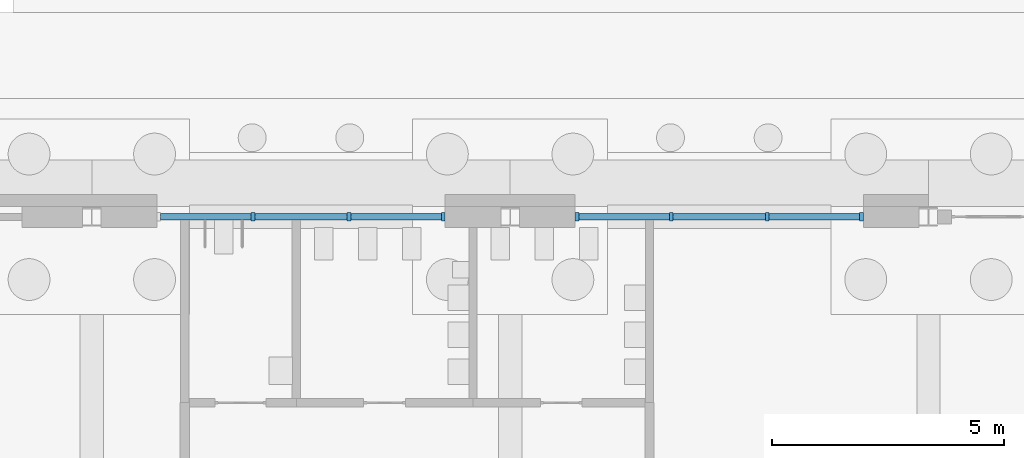
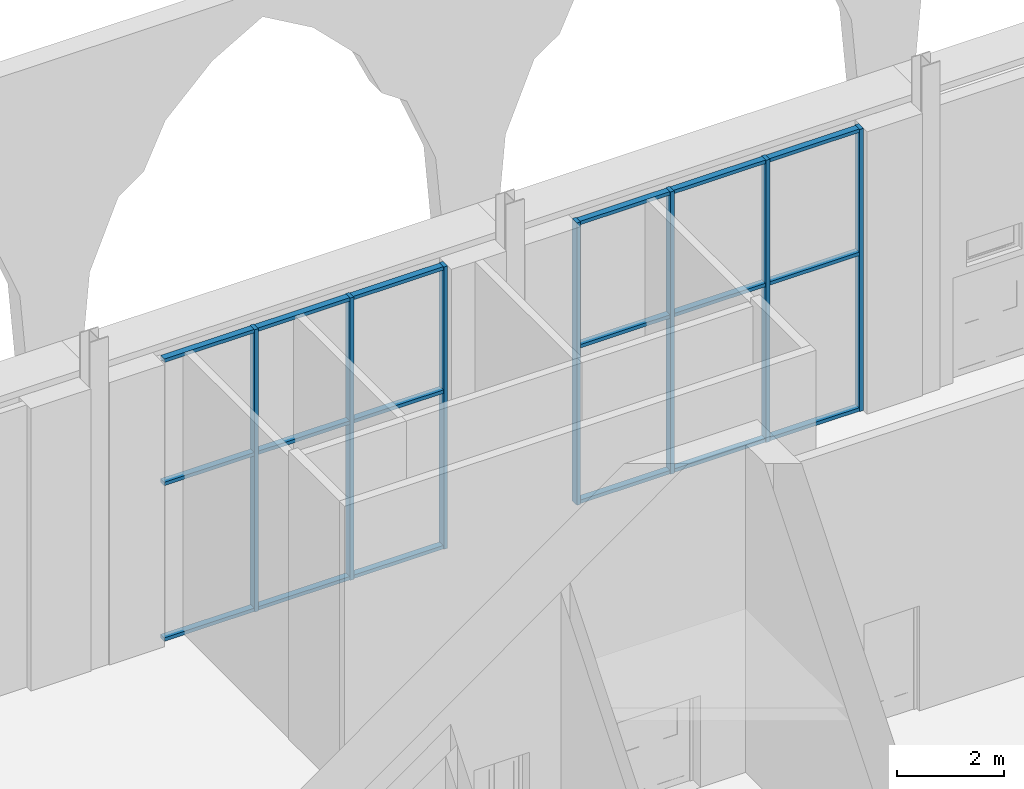
# One storey, part 64 of 250: 25 members, 2 elements without a shape of their own.
"""IFC4 building model written with IfcOpenShell, lengths in metres."""

from ifc_helpers import new_model, si_unit, direction, frame, origin, origin_2d, place, context, subcontext, project, spatial, rectangle, extrude, material, material_profile, profile_set, type_object, element, aggregate, save


model = new_model("IFC4")

# Units and contexts
model_context = context("Model", 3, precision=1e-05, world=origin(), true_north=direction((0.0, 1.0)))
body_context = subcontext(model_context, "Body", "Model", "MODEL_VIEW")
ifc_project = project(units=[si_unit("LENGTHUNIT", "METRE"), si_unit("AREAUNIT", "SQUARE_METRE"), si_unit("VOLUMEUNIT", "CUBIC_METRE"), si_unit("PLANEANGLEUNIT", "RADIAN"), si_unit("MASSUNIT", "GRAM", prefix="KILO")], contexts=[model_context])

# Site, building, storey
site_placement = place(None, origin())
site = spatial("IfcSite", under=ifc_project, at=site_placement, CompositionType="ELEMENT")
building_placement = place(site_placement, origin())
building = spatial("IfcBuilding", under=site, at=building_placement, Name="Baradari Gate Terminus", CompositionType="ELEMENT")
storey_placement = place(building_placement, origin())
storey = spatial("IfcBuildingStorey", under=building, at=storey_placement, Name="L00", CompositionType="ELEMENT", Elevation=0.0)

# Curtain wall, members
ifc_material_1 = material(Name="Aluminium 6063-T6", Category="aluminium")
curtain_wall_type = type_object("IfcCurtainWallType", Name="Curtain wall CW-7 lobby and lounge glazing", PredefinedType="NOTDEFINED", material=ifc_material_1)
curtain_wall_1_placement = place(storey_placement, origin())
curtain_wall_1 = element("IfcCurtainWall", 1, at=curtain_wall_1_placement, inside=storey, type_object=curtain_wall_type, Name="Glazed curtain wall CW-7 TN bay 5 L00", PredefinedType="NOTDEFINED")
ifc_material_2 = material(Name="Aluminium 6063-T6", Category="aluminium")
ifc_material_profile_1 = material_profile(ifc_material_2, rectangle(XDim=0.175048828125, YDim=0.080078125, at=origin_2d()), Name="CM-7 80X175")
ifc_profile_set_1 = profile_set([ifc_material_profile_1], Name="Aluminium 6063-T6")
member_type_1 = type_object("IfcMemberType", Name="Curtain wall mullion CM-7 80x175", PredefinedType="MULLION", material=ifc_profile_set_1)
member_1_placement = place(storey_placement, frame((39.466552734375, 144.0, 0.0), z_axis=(0.0, 0.0, 1.0), x_axis=(0.0, 1.0, 0.0)))
member_1 = element("IfcMember", 2, at=member_1_placement, type_object=member_type_1, Name="CW-7 mullion 2", PredefinedType="MULLION", context=body_context, shape_type="SweptSolid", body=[
    extrude(rectangle(XDim=0.175048828125, YDim=0.080078125, at=origin_2d()), origin(), (0.0, 0.0, 1.0), 6.459716796875),
])
member_2_placement = place(storey_placement, frame((41.533447265625, 144.0, 0.0), z_axis=(0.0, 0.0, 1.0), x_axis=(0.0, 1.0, 0.0)))
member_2 = element("IfcMember", 3, at=member_2_placement, type_object=member_type_1, Name="CW-7 mullion 3", PredefinedType="MULLION", context=body_context, shape_type="SweptSolid", body=[
    extrude(rectangle(XDim=0.175048828125, YDim=0.080078125, at=origin_2d()), origin(), (0.0, 0.0, 1.0), 6.459716796875),
])
member_3_placement = place(storey_placement, frame((43.560546875, 144.0, 0.0), z_axis=(0.0, 0.0, 1.0), x_axis=(0.0, 1.0, 0.0)))
member_3 = element("IfcMember", 4, at=member_3_placement, type_object=member_type_1, Name="CW-7 mullion 4", PredefinedType="MULLION", context=body_context, shape_type="SweptSolid", body=[
    extrude(rectangle(XDim=0.175048828125, YDim=0.080078125, at=origin_2d()), origin(), (0.0, 0.0, 1.0), 6.459716796875),
])

curtain_wall_2_placement = place(storey_placement, origin())
curtain_wall_2 = element("IfcCurtainWall", 5, at=curtain_wall_2_placement, inside=storey, type_object=curtain_wall_type, Name="Glazed curtain wall CW-7 TN bay 6 L00", PredefinedType="NOTDEFINED")
member_4_placement = place(storey_placement, frame((46.439453125, 144.0, 0.0), z_axis=(0.0, 0.0, 1.0), x_axis=(0.0, 1.0, 0.0)))
member_4 = element("IfcMember", 6, at=member_4_placement, type_object=member_type_1, Name="CW-7 mullion 1", PredefinedType="MULLION", context=body_context, shape_type="SweptSolid", body=[
    extrude(rectangle(XDim=0.175048828125, YDim=0.080078125, at=origin_2d()), origin(), (0.0, 0.0, 1.0), 6.459716796875),
])
member_5_placement = place(storey_placement, frame((48.466552734375, 144.0, 0.0), z_axis=(0.0, 0.0, 1.0), x_axis=(0.0, 1.0, 0.0)))
member_5 = element("IfcMember", 7, at=member_5_placement, type_object=member_type_1, Name="CW-7 mullion 2", PredefinedType="MULLION", context=body_context, shape_type="SweptSolid", body=[
    extrude(rectangle(XDim=0.175048828125, YDim=0.080078125, at=origin_2d()), origin(), (0.0, 0.0, 1.0), 6.459716796875),
])
member_6_placement = place(storey_placement, frame((50.533447265625, 144.0, 0.0), z_axis=(0.0, 0.0, 1.0), x_axis=(0.0, 1.0, 0.0)))
member_6 = element("IfcMember", 8, at=member_6_placement, type_object=member_type_1, Name="CW-7 mullion 3", PredefinedType="MULLION", context=body_context, shape_type="SweptSolid", body=[
    extrude(rectangle(XDim=0.175048828125, YDim=0.080078125, at=origin_2d()), origin(), (0.0, 0.0, 1.0), 6.459716796875),
])
member_7_placement = place(storey_placement, frame((52.560546875, 144.0, 0.0), z_axis=(0.0, 0.0, 1.0), x_axis=(0.0, 1.0, 0.0)))
member_7 = element("IfcMember", 9, at=member_7_placement, type_object=member_type_1, Name="CW-7 mullion 4", PredefinedType="MULLION", context=body_context, shape_type="SweptSolid", body=[
    extrude(rectangle(XDim=0.175048828125, YDim=0.080078125, at=origin_2d()), origin(), (0.0, 0.0, 1.0), 6.459716796875),
])

# Member
ifc_material_3 = material(Name="Aluminium 6063-T6", Category="aluminium")
ifc_material_profile_2 = material_profile(ifc_material_3, rectangle(XDim=0.139892578125, YDim=0.080078125, at=origin_2d()), Name="CT-7 80X140")
ifc_profile_set_2 = profile_set([ifc_material_profile_2], Name="Aluminium 6063-T6")
member_type_2 = type_object("IfcMemberType", Name="Curtain wall transom CT-7 80x140", PredefinedType="USERDEFINED", material=ifc_profile_set_2)
member_8_placement = place(storey_placement, frame((37.4794921875, 144.0, 0.0400390625), z_axis=(1.0, 0.0, 0.0), x_axis=(0.0, 1.0, 0.0)))
member_8 = element("IfcMember", 10, at=member_8_placement, type_object=member_type_2, Name="CW-7 transom 1.1", ObjectType="TRANSOM", PredefinedType="USERDEFINED", context=body_context, shape_type="SweptSolid", body=[
    extrude(rectangle(XDim=0.139892578125, YDim=0.080078125, at=origin_2d()), origin(), (0.0, 0.0, 1.0), 1.947021484375),
])

member_9_placement = place(storey_placement, frame((37.4794921875, 144.0, 3.60009765625), z_axis=(1.0, 0.0, 0.0), x_axis=(0.0, 1.0, 0.0)))
member_9 = element("IfcMember", 11, at=member_9_placement, type_object=member_type_2, Name="CW-7 transom 1.2", ObjectType="TRANSOM", PredefinedType="USERDEFINED", context=body_context, shape_type="SweptSolid", body=[
    extrude(rectangle(XDim=0.139892578125, YDim=0.080078125, at=origin_2d()), origin(), (0.0, 0.0, 1.0), 1.947021484375),
])

member_10_placement = place(storey_placement, frame((37.4794921875, 144.0, 6.419677734375), z_axis=(1.0, 0.0, 0.0), x_axis=(0.0, 1.0, 0.0)))
member_10 = element("IfcMember", 12, at=member_10_placement, type_object=member_type_2, Name="CW-7 transom 1.3", ObjectType="TRANSOM", PredefinedType="USERDEFINED", context=body_context, shape_type="SweptSolid", body=[
    extrude(rectangle(XDim=0.139892578125, YDim=0.080078125, at=origin_2d()), origin(), (0.0, 0.0, 1.0), 1.947021484375),
])

member_11_placement = place(storey_placement, frame((39.506591796875, 144.0, 0.0400390625), z_axis=(1.0, 0.0, 0.0), x_axis=(0.0, 1.0, 0.0)))
member_11 = element("IfcMember", 13, at=member_11_placement, type_object=member_type_2, Name="CW-7 transom 2.1", ObjectType="TRANSOM", PredefinedType="USERDEFINED", context=body_context, shape_type="SweptSolid", body=[
    extrude(rectangle(XDim=0.139892578125, YDim=0.080078125, at=origin_2d()), origin(), (0.0, 0.0, 1.0), 1.98681640625),
])

member_12_placement = place(storey_placement, frame((39.506591796875, 144.0, 3.60009765625), z_axis=(1.0, 0.0, 0.0), x_axis=(0.0, 1.0, 0.0)))
member_12 = element("IfcMember", 14, at=member_12_placement, type_object=member_type_2, Name="CW-7 transom 2.2", ObjectType="TRANSOM", PredefinedType="USERDEFINED", context=body_context, shape_type="SweptSolid", body=[
    extrude(rectangle(XDim=0.139892578125, YDim=0.080078125, at=origin_2d()), origin(), (0.0, 0.0, 1.0), 1.98681640625),
])

member_13_placement = place(storey_placement, frame((39.506591796875, 144.0, 6.419677734375), z_axis=(1.0, 0.0, 0.0), x_axis=(0.0, 1.0, 0.0)))
member_13 = element("IfcMember", 15, at=member_13_placement, type_object=member_type_2, Name="CW-7 transom 2.3", ObjectType="TRANSOM", PredefinedType="USERDEFINED", context=body_context, shape_type="SweptSolid", body=[
    extrude(rectangle(XDim=0.139892578125, YDim=0.080078125, at=origin_2d()), origin(), (0.0, 0.0, 1.0), 1.98681640625),
])

member_14_placement = place(storey_placement, frame((41.573486328125, 144.0, 0.0400390625), z_axis=(1.0, 0.0, 0.0), x_axis=(0.0, 1.0, 0.0)))
member_14 = element("IfcMember", 16, at=member_14_placement, type_object=member_type_2, Name="CW-7 transom 3.1", ObjectType="TRANSOM", PredefinedType="USERDEFINED", context=body_context, shape_type="SweptSolid", body=[
    extrude(rectangle(XDim=0.139892578125, YDim=0.080078125, at=origin_2d()), origin(), (0.0, 0.0, 1.0), 1.947021484375),
])

member_15_placement = place(storey_placement, frame((41.573486328125, 144.0, 3.60009765625), z_axis=(1.0, 0.0, 0.0), x_axis=(0.0, 1.0, 0.0)))
member_15 = element("IfcMember", 17, at=member_15_placement, type_object=member_type_2, Name="CW-7 transom 3.2", ObjectType="TRANSOM", PredefinedType="USERDEFINED", context=body_context, shape_type="SweptSolid", body=[
    extrude(rectangle(XDim=0.139892578125, YDim=0.080078125, at=origin_2d()), origin(), (0.0, 0.0, 1.0), 1.947021484375),
])

member_16_placement = place(storey_placement, frame((41.573486328125, 144.0, 6.419677734375), z_axis=(1.0, 0.0, 0.0), x_axis=(0.0, 1.0, 0.0)))
member_16 = element("IfcMember", 18, at=member_16_placement, type_object=member_type_2, Name="CW-7 transom 3.3", ObjectType="TRANSOM", PredefinedType="USERDEFINED", context=body_context, shape_type="SweptSolid", body=[
    extrude(rectangle(XDim=0.139892578125, YDim=0.080078125, at=origin_2d()), origin(), (0.0, 0.0, 1.0), 1.947021484375),
])

aggregate(curtain_wall_1, [member_1, member_2, member_3, member_8, member_9, member_10, member_11, member_12, member_13, member_14, member_15, member_16])

member_17_placement = place(storey_placement, frame((46.4794921875, 144.0, 0.0400390625), z_axis=(1.0, 0.0, 0.0), x_axis=(0.0, 1.0, 0.0)))
member_17 = element("IfcMember", 19, at=member_17_placement, type_object=member_type_2, Name="CW-7 transom 1.1", ObjectType="TRANSOM", PredefinedType="USERDEFINED", context=body_context, shape_type="SweptSolid", body=[
    extrude(rectangle(XDim=0.139892578125, YDim=0.080078125, at=origin_2d()), origin(), (0.0, 0.0, 1.0), 1.947021484375),
])

member_18_placement = place(storey_placement, frame((46.4794921875, 144.0, 3.60009765625), z_axis=(1.0, 0.0, 0.0), x_axis=(0.0, 1.0, 0.0)))
member_18 = element("IfcMember", 20, at=member_18_placement, type_object=member_type_2, Name="CW-7 transom 1.2", ObjectType="TRANSOM", PredefinedType="USERDEFINED", context=body_context, shape_type="SweptSolid", body=[
    extrude(rectangle(XDim=0.139892578125, YDim=0.080078125, at=origin_2d()), origin(), (0.0, 0.0, 1.0), 1.947021484375),
])

member_19_placement = place(storey_placement, frame((46.4794921875, 144.0, 6.419677734375), z_axis=(1.0, 0.0, 0.0), x_axis=(0.0, 1.0, 0.0)))
member_19 = element("IfcMember", 21, at=member_19_placement, type_object=member_type_2, Name="CW-7 transom 1.3", ObjectType="TRANSOM", PredefinedType="USERDEFINED", context=body_context, shape_type="SweptSolid", body=[
    extrude(rectangle(XDim=0.139892578125, YDim=0.080078125, at=origin_2d()), origin(), (0.0, 0.0, 1.0), 1.947021484375),
])

member_20_placement = place(storey_placement, frame((48.506591796875, 144.0, 0.0400390625), z_axis=(1.0, 0.0, 0.0), x_axis=(0.0, 1.0, 0.0)))
member_20 = element("IfcMember", 22, at=member_20_placement, type_object=member_type_2, Name="CW-7 transom 2.1", ObjectType="TRANSOM", PredefinedType="USERDEFINED", context=body_context, shape_type="SweptSolid", body=[
    extrude(rectangle(XDim=0.139892578125, YDim=0.080078125, at=origin_2d()), origin(), (0.0, 0.0, 1.0), 1.98681640625),
])

member_21_placement = place(storey_placement, frame((48.506591796875, 144.0, 3.60009765625), z_axis=(1.0, 0.0, 0.0), x_axis=(0.0, 1.0, 0.0)))
member_21 = element("IfcMember", 23, at=member_21_placement, type_object=member_type_2, Name="CW-7 transom 2.2", ObjectType="TRANSOM", PredefinedType="USERDEFINED", context=body_context, shape_type="SweptSolid", body=[
    extrude(rectangle(XDim=0.139892578125, YDim=0.080078125, at=origin_2d()), origin(), (0.0, 0.0, 1.0), 1.98681640625),
])

member_22_placement = place(storey_placement, frame((48.506591796875, 144.0, 6.419677734375), z_axis=(1.0, 0.0, 0.0), x_axis=(0.0, 1.0, 0.0)))
member_22 = element("IfcMember", 24, at=member_22_placement, type_object=member_type_2, Name="CW-7 transom 2.3", ObjectType="TRANSOM", PredefinedType="USERDEFINED", context=body_context, shape_type="SweptSolid", body=[
    extrude(rectangle(XDim=0.139892578125, YDim=0.080078125, at=origin_2d()), origin(), (0.0, 0.0, 1.0), 1.98681640625),
])

member_23_placement = place(storey_placement, frame((50.573486328125, 144.0, 0.0400390625), z_axis=(1.0, 0.0, 0.0), x_axis=(0.0, 1.0, 0.0)))
member_23 = element("IfcMember", 25, at=member_23_placement, type_object=member_type_2, Name="CW-7 transom 3.1", ObjectType="TRANSOM", PredefinedType="USERDEFINED", context=body_context, shape_type="SweptSolid", body=[
    extrude(rectangle(XDim=0.139892578125, YDim=0.080078125, at=origin_2d()), origin(), (0.0, 0.0, 1.0), 1.947021484375),
])

member_24_placement = place(storey_placement, frame((50.573486328125, 144.0, 3.60009765625), z_axis=(1.0, 0.0, 0.0), x_axis=(0.0, 1.0, 0.0)))
member_24 = element("IfcMember", 26, at=member_24_placement, type_object=member_type_2, Name="CW-7 transom 3.2", ObjectType="TRANSOM", PredefinedType="USERDEFINED", context=body_context, shape_type="SweptSolid", body=[
    extrude(rectangle(XDim=0.139892578125, YDim=0.080078125, at=origin_2d()), origin(), (0.0, 0.0, 1.0), 1.947021484375),
])

member_25_placement = place(storey_placement, frame((50.573486328125, 144.0, 6.419677734375), z_axis=(1.0, 0.0, 0.0), x_axis=(0.0, 1.0, 0.0)))
member_25 = element("IfcMember", 27, at=member_25_placement, type_object=member_type_2, Name="CW-7 transom 3.3", ObjectType="TRANSOM", PredefinedType="USERDEFINED", context=body_context, shape_type="SweptSolid", body=[
    extrude(rectangle(XDim=0.139892578125, YDim=0.080078125, at=origin_2d()), origin(), (0.0, 0.0, 1.0), 1.947021484375),
])

aggregate(curtain_wall_2, [member_4, member_5, member_6, member_7, member_17, member_18, member_19, member_20, member_21, member_22, member_23, member_24, member_25])

save(model, "model.ifc")
